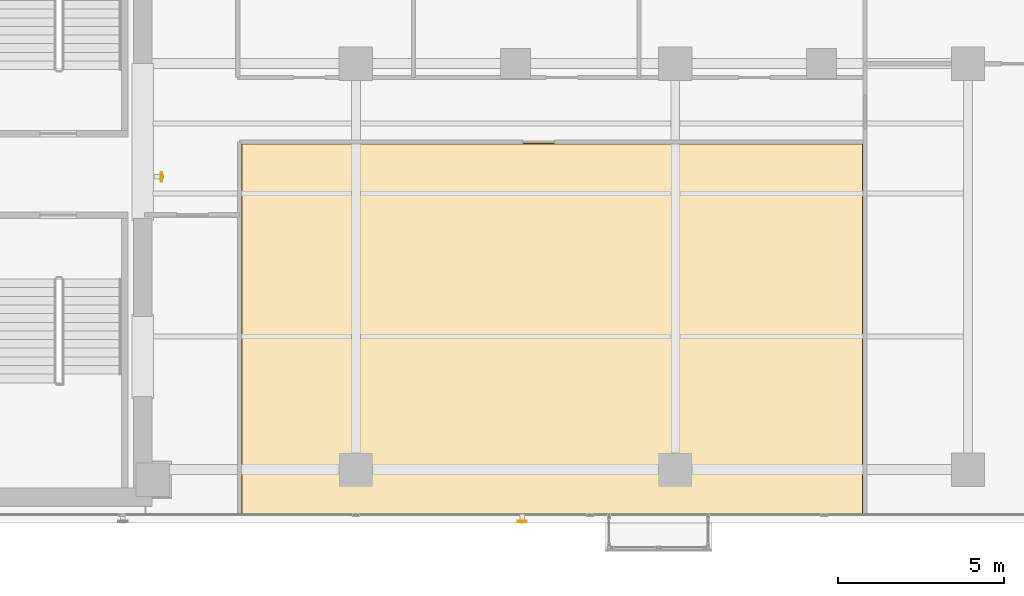
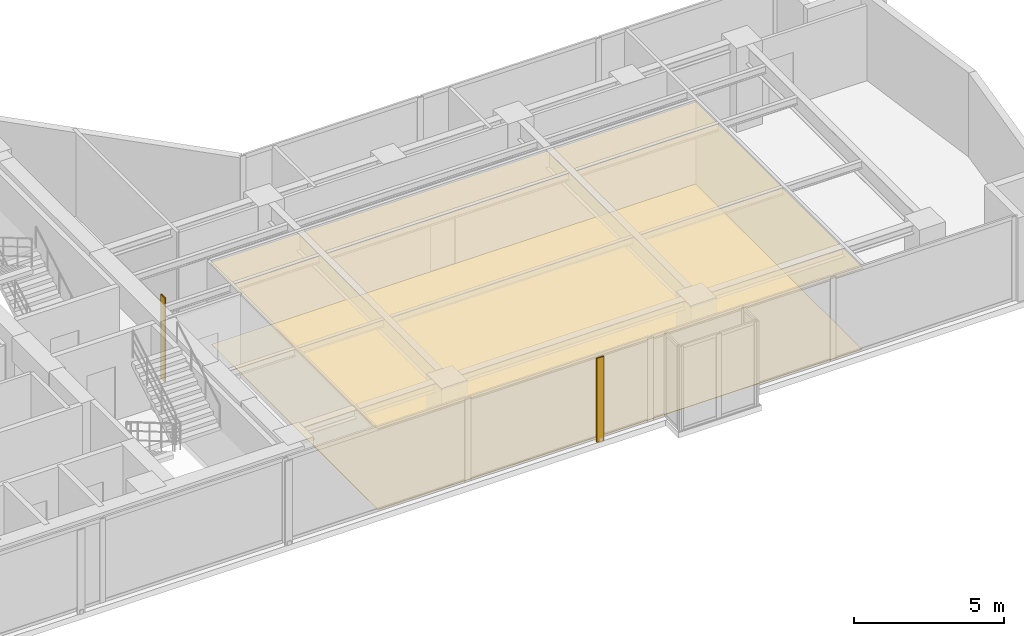
# One storey, part 21 of 24: 2 coverings, 2 shading devices.
"""IFC4 building model written with IfcOpenShell, lengths in metres."""

from ifc_helpers import new_model, si_unit, direction, frame, origin, origin_2d, place, context, subcontext, project, spatial, polyline, hollow_rectangle, outline, extrude, material, layer, layer_set, material_profile, profile_set, type_object, element, save


model = new_model("IFC4")

# Units and contexts
model_context = context("Model", 3, precision=1e-05, world=origin(), true_north=direction((0.0, 1.0)))
body_context = subcontext(model_context, "Body", "Model", "MODEL_VIEW")
ifc_project = project(units=[si_unit("LENGTHUNIT", "METRE"), si_unit("AREAUNIT", "SQUARE_METRE"), si_unit("VOLUMEUNIT", "CUBIC_METRE"), si_unit("PLANEANGLEUNIT", "RADIAN"), si_unit("MASSUNIT", "GRAM", prefix="KILO")], contexts=[model_context])

# Site, building, storey
site_placement = place(None, origin())
site = spatial("IfcSite", under=ifc_project, at=site_placement, CompositionType="ELEMENT")
building_placement = place(site_placement, origin())
building = spatial("IfcBuilding", under=site, at=building_placement, Name="Kolvaren Waterfront Exchange", CompositionType="ELEMENT")
storey_placement = place(building_placement, frame((0.0, 0.0, 253.89990234375)))
storey = spatial("IfcBuildingStorey", under=building, at=storey_placement, Name="L65", CompositionType="ELEMENT", Elevation=253.89990234375)

# Covering
ifc_material_1 = material(Name="Mineral fibre acoustic ceiling tile")
ifc_layer_1 = layer(ifc_material_1, 0.02490234375, Name="Mineral fibre acoustic ceiling tile")
ifc_layer_set_1 = layer_set([ifc_layer_1], Name="Mineral fibre acoustic ceiling tile")
covering_type_1 = type_object("IfcCoveringType", Name="ARC-CEIL-ACOUSTIC-25", PredefinedType="CEILING", material=ifc_layer_set_1)
covering_1_placement = place(storey_placement, frame((0.0, 0.0, 3.30517578125)))
element("IfcCovering", 1, at=covering_1_placement, inside=storey, type_object=covering_type_1, Name="L65 acoustic suspended ceiling 3", PredefinedType="CEILING", context=body_context, shape_type="SweptSolid", body=[
    extrude(outline(polyline([(42.455078125, 3.844970703125), (42.455078125, 15.014892578125), (23.7451171875, 15.014892578125), (23.7451171875, 3.844970703125), (42.455078125, 3.844970703125)])), origin(), (0.0, 0.0, 1.0), 0.02490234375),
])

# Shading devices
ifc_material_2 = material(Name="Anodised bronze aluminium 6063-T6", Category="aluminium")
ifc_material_profile = material_profile(ifc_material_2, hollow_rectangle(XDim=0.054931640625, YDim=0.280029296875, WallThickness=0.00439453125, at=origin_2d()), Name="BRZ-FIN-280x55x4.5")
ifc_profile_set = profile_set([ifc_material_profile], Name="Anodised bronze aluminium 6063-T6")
shading_device_type = type_object("IfcShadingDeviceType", Name="ARC-FIN-280", PredefinedType="USERDEFINED", material=ifc_profile_set)
for number, where, z_axis, x_axis, name in (
    (2, (32.199951171875, 3.639892578125, 0.0), (0.0, 0.0, 1.0), (0.0, -1.0, 0.0), "L65 anodised bronze solar shading fin FIN-L65-S3"),
    (3, (21.360107421875, 14.0, 0.0), (0.0, 0.0, 1.0), (1.0, 0.0, 0.0), "L65 anodised bronze solar shading fin FIN-L65-E1"),
):
    element("IfcShadingDevice", number, at=place(storey_placement, frame(where, z_axis=z_axis, x_axis=x_axis)), inside=storey, type_object=shading_device_type, Name=name, ObjectType="SOLAR FIN", PredefinedType="USERDEFINED", context=body_context, shape_type="SweptSolid", body=[
        extrude(hollow_rectangle(XDim=0.054931640625, YDim=0.280029296875, WallThickness=0.00439453125, at=origin_2d()), origin(), (0.0, 0.0, 1.0), 3.420166015625),
    ])

# Covering
ifc_material_3 = material(Name="Slip-resistant porcelain tile")
ifc_layer_2 = layer(ifc_material_3, 0.014892578125, Name="Slip-resistant porcelain tile")
ifc_layer_set_2 = layer_set([ifc_layer_2], Name="Slip-resistant porcelain tile")
covering_type_2 = type_object("IfcCoveringType", Name="ARC-FLR-PORC-15", PredefinedType="FLOORING", material=ifc_layer_set_2)
covering_2_placement = place(storey_placement, origin())
element("IfcCovering", 4, at=covering_2_placement, inside=storey, type_object=covering_type_2, Name="L65 floor finish 3", PredefinedType="FLOORING", context=body_context, shape_type="SweptSolid", body=[
    extrude(outline(polyline([(23.780029296875, 14.97998046875), (23.780029296875, 3.8798828125), (42.419921875, 3.8798828125), (42.419921875, 14.97998046875), (23.780029296875, 14.97998046875)])), origin(), (0.0, 0.0, 1.0), 0.01513671875),
])

save(model, "model.ifc")
